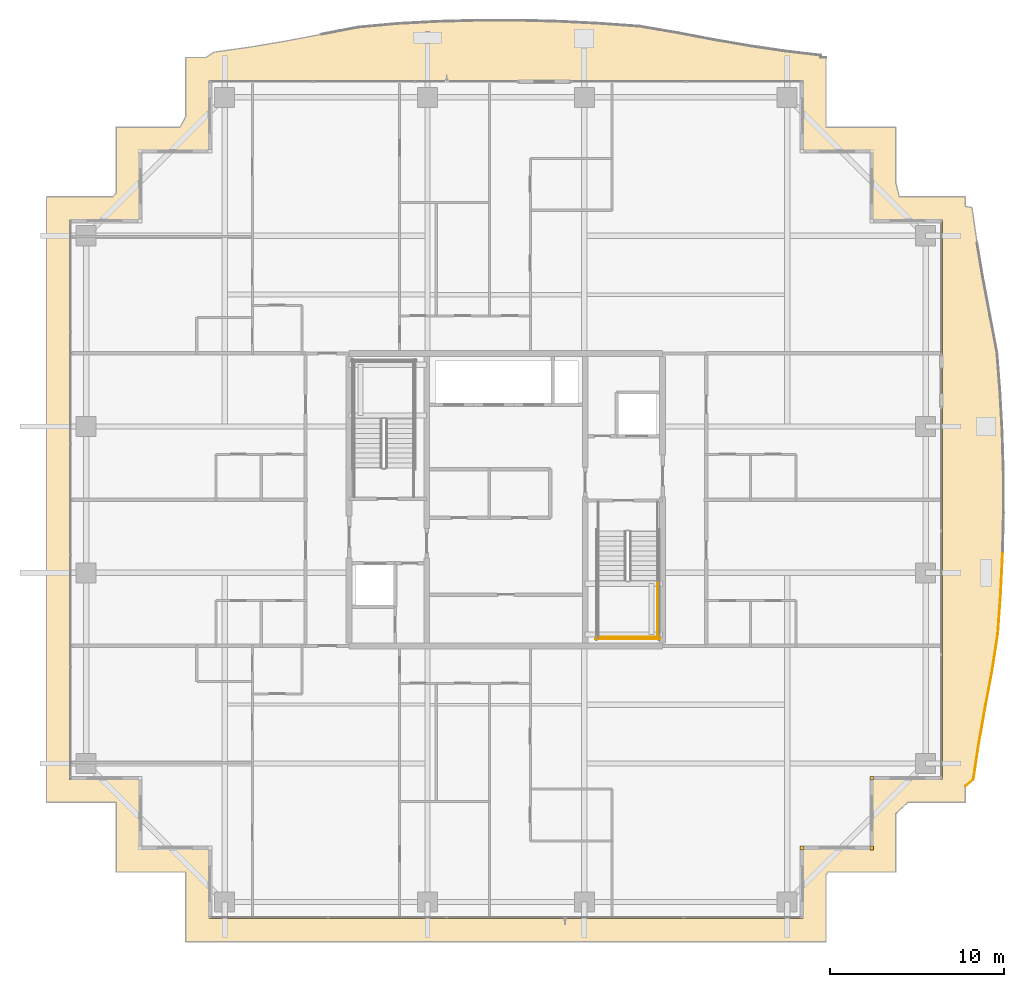
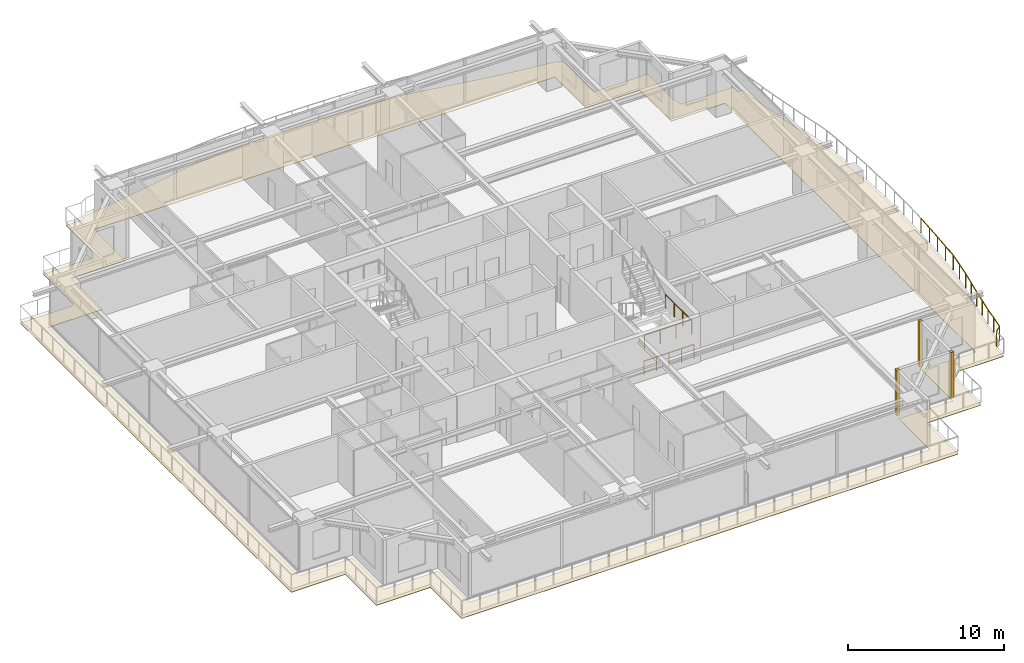
# One storey, part 36 of 38: 4 coverings, 4 railings.
"""IFC4 building model written with IfcOpenShell, lengths in metres."""

from ifc_helpers import new_model, si_unit, direction, frame, origin, origin_2d, place, context, subcontext, project, spatial, polyline, rectangle, circle, outline, extrude, source, transform, mapped, material, layer, layer_set, type_object, element, save


model = new_model("IFC4")

# Units and contexts
model_context = context("Model", 3, precision=1e-05, world=origin(), true_north=direction((0.0, 1.0)))
body_context = subcontext(model_context, "Body", "Model", "MODEL_VIEW")
ifc_project = project(units=[si_unit("LENGTHUNIT", "METRE"), si_unit("AREAUNIT", "SQUARE_METRE"), si_unit("VOLUMEUNIT", "CUBIC_METRE"), si_unit("PLANEANGLEUNIT", "RADIAN"), si_unit("MASSUNIT", "GRAM", prefix="KILO")], contexts=[model_context])

# Site, building, storey
site_placement = place(None, origin())
site = spatial("IfcSite", under=ifc_project, at=site_placement, CompositionType="ELEMENT")
building_placement = place(site_placement, origin())
building = spatial("IfcBuilding", under=site, at=building_placement, Name="Serunith Strait Residences", CompositionType="ELEMENT")
storey_placement = place(building_placement, frame((0.0, 0.0, 264.35009765625)))
storey = spatial("IfcBuildingStorey", under=building, at=storey_placement, Name="L66", CompositionType="ELEMENT", Elevation=264.35009765625)

# Covering
ifc_material_1 = material(Name="Golden Teak Exterior Timber Boarding", Category="wood")
ifc_layer_1 = layer(ifc_material_1, 0.034912109375, Name="Golden Teak Exterior Timber Boarding")
ifc_layer_set_1 = layer_set([ifc_layer_1], Name="Golden Teak Exterior Timber Boarding")
covering_type_1 = type_object("IfcCoveringType", Name="COV-TEAK-SOFFIT", PredefinedType="CEILING", material=ifc_layer_set_1)
covering_placement = place(storey_placement, frame((0.0, 0.0, -0.3251953125)))
element("IfcCovering", 1, at=covering_placement, inside=storey, type_object=covering_type_1, Name="L66 Golden-Teak Balcony Soffit Lining", PredefinedType="CEILING", context=body_context, shape_type="SweptSolid", body=[
    extrude(outline(polyline([(10.02001953125, 46.580078125), (13.67919921875, 46.580078125), (14.02001953125, 47.19873046875), (14.02001953125, 50.580078125), (15.189697265625, 50.580078125), (15.631103515625, 50.888427734375), (17.655029296875, 51.1728515625), (19.698974609375, 51.515625), (21.781982421875, 51.907470703125), (23.92431640625, 52.32177734375), (26.184814453125, 52.52734375), (28.492431640625, 52.648681640625), (30.82373046875, 52.712890625), (33.164306640625, 52.713623046875), (35.497802734375, 52.6513671875), (37.8095703125, 52.53271484375), (40.088623046875, 52.36962890625), (42.2626953125, 51.996826171875), (44.36181640625, 51.598388671875), (46.416748046875, 51.243896484375), (48.447021484375, 50.946533203125), (50.4677734375, 50.707275390625), (50.466796875, 50.580078125), (50.780029296875, 50.580078125), (50.780029296875, 46.580078125), (54.780029296875, 46.580078125), (54.780029296875, 43.41357421875), (54.985107421875, 42.580078125), (58.780029296875, 42.580078125), (58.780029296875, 42.030517578125), (59.156494140625, 41.96728515625), (59.4482421875, 39.941162109375), (59.795166015625, 37.89306640625), (60.186767578125, 35.80517578125), (60.596435546875, 33.658935546875), (60.770263671875, 31.394287109375), (60.8955078125, 29.094482421875), (60.965087890625, 26.77099609375), (60.972412109375, 24.43798828125), (60.916748046875, 22.110595703125), (60.8037109375, 19.80322265625), (60.64453125, 17.52685546875), (60.30810546875, 15.339111328125), (59.907958984375, 13.23388671875), (59.546142578125, 11.174560546875), (59.237548828125, 9.14208984375), (58.780029296875, 8.75634765625), (58.780029296875, 7.820068359375), (55.479736328125, 7.820068359375), (54.780029296875, 7.16748046875), (54.780029296875, 3.820068359375), (50.881103515625, 3.820068359375), (50.780029296875, 3.665283203125), (50.780029296875, -0.179931640625), (14.02001953125, -0.179931640625), (14.02001953125, 3.820068359375), (10.02001953125, 3.820068359375), (10.02001953125, 7.820068359375), (6.02001953125, 7.820068359375), (6.02001953125, 42.580078125), (9.824951171875, 42.580078125), (10.02001953125, 42.802001953125), (10.02001953125, 46.580078125)]), holes=[polyline([(49.455078125, 1.14501953125), (49.455078125, 5.14501953125), (53.455078125, 5.14501953125), (53.455078125, 9.14501953125), (57.455078125, 9.14501953125), (57.455078125, 41.2548828125), (53.455078125, 41.2548828125), (53.455078125, 45.2548828125), (49.455078125, 45.2548828125), (49.455078125, 49.2548828125), (15.344970703125, 49.2548828125), (15.344970703125, 45.2548828125), (11.344970703125, 45.2548828125), (11.344970703125, 41.2548828125), (7.344970703125, 41.2548828125), (7.344970703125, 9.14501953125), (11.344970703125, 9.14501953125), (11.344970703125, 5.14501953125), (15.344970703125, 5.14501953125), (15.344970703125, 1.14501953125), (49.455078125, 1.14501953125)])]), origin(), (0.0, 0.0, 1.0), 0.03515625),
])

# Railings
ifc_material_2 = material(Name="Stainless Steel & Laminated Glass Balustrade", Category="steel")
railing_type_1 = type_object("IfcRailingType", Name="RLG-BALC-1150", PredefinedType="BALUSTRADE", material=ifc_material_2)
railing_1_placement = place(storey_placement, frame((60.916748046875, 22.110595703125, -0.050048828125)))
element("IfcRailing", 2, at=railing_1_placement, inside=storey, type_object=railing_type_1, Name="L66 Swirling Balcony Perimeter Balustrade 6", PredefinedType="BALUSTRADE", context=body_context, shape_type="SweptSolid", body=[
    extrude(circle(Radius=0.02392578125, at=origin_2d()), frame((0.0, -0.001953125, 1.1259765625), z_axis=(-0.04893084374, -0.998802168866, 0.0), x_axis=(0.998802168866, -0.04893084374, 0.0)), (0.0, 0.0, 1.0), 2.30615234375),
    extrude(circle(Radius=0.02392578125, at=origin_2d()), frame((-0.11328125, -2.309326171875, 1.1259765625), z_axis=(-0.069756729847, -0.997564032351, 0.0), x_axis=(0.997564032351, -0.069756729847, 0.0)), (0.0, 0.0, 1.0), 2.27783203125),
    extrude(circle(Radius=0.02392578125, at=origin_2d()), frame((-0.2724609375, -4.585693359375, 1.1259765625), z_axis=(-0.151990877498, -0.988381896413, 0.0), x_axis=(0.988381896413, -0.151990877498, 0.0)), (0.0, 0.0, 1.0), 2.20947265625),
    extrude(circle(Radius=0.02392578125, at=origin_2d()), frame((-0.609130859375, -6.7734375, 1.1259765625), z_axis=(-0.186729919928, -0.982411287091, 0.0), x_axis=(0.982411287091, -0.186729919928, 0.0)), (0.0, 0.0, 1.0), 2.138916015625),
    extrude(circle(Radius=0.02392578125, at=origin_2d()), frame((-1.009033203125, -8.878662109375, 1.1259765625), z_axis=(-0.17304590313, -0.984913760392, 0.0), x_axis=(0.984913760392, -0.17304590313, 0.0)), (0.0, 0.0, 1.0), 2.0869140625),
    extrude(circle(Radius=0.02392578125, at=origin_2d()), frame((-1.370849609375, -10.93798828125, 1.1259765625), z_axis=(-0.150111437986, -0.988669083256, 0.0), x_axis=(0.988669083256, -0.150111437986, 0.0)), (0.0, 0.0, 1.0), 2.0517578125),
    extrude(circle(Radius=0.02392578125, at=origin_2d()), frame((-1.6806640625, -12.9697265625, 1.1259765625), z_axis=(-0.764530207025, -0.644587901334, 0.0), x_axis=(0.644587901334, -0.764530207025, 0.0)), (0.0, 0.0, 1.0), 0.594482421875),
    extrude(circle(Radius=0.02099609375, at=origin_2d()), origin(), (0.0, 0.0, 1.0), 1.099853515625),
    extrude(circle(Radius=0.02099609375, at=origin_2d()), frame((-0.056640625, -1.15380859375, 0.0)), (0.0, 0.0, 1.0), 1.099853515625),
    extrude(circle(Radius=0.02099609375, at=origin_2d()), frame((-0.113037109375, -2.307373046875, 0.0)), (0.0, 0.0, 1.0), 1.099853515625),
    extrude(circle(Radius=0.02099609375, at=origin_2d()), frame((-0.192626953125, -3.445556640625, 0.0)), (0.0, 0.0, 1.0), 1.099853515625),
    extrude(circle(Radius=0.02099609375, at=origin_2d()), frame((-0.272216796875, -4.583740234375, 0.0)), (0.0, 0.0, 1.0), 1.099853515625),
    extrude(circle(Radius=0.02099609375, at=origin_2d()), frame((-0.4404296875, -5.677734375, 0.0)), (0.0, 0.0, 1.0), 1.099853515625),
    extrude(circle(Radius=0.02099609375, at=origin_2d()), frame((-0.608642578125, -6.771484375, 0.0)), (0.0, 0.0, 1.0), 1.099853515625),
    extrude(circle(Radius=0.02099609375, at=origin_2d()), frame((-0.80859375, -7.82421875, 0.0)), (0.0, 0.0, 1.0), 1.099853515625),
    extrude(circle(Radius=0.02099609375, at=origin_2d()), frame((-1.0087890625, -8.876708984375, 0.0)), (0.0, 0.0, 1.0), 1.099853515625),
    extrude(circle(Radius=0.02099609375, at=origin_2d()), frame((-1.189697265625, -9.90625, 0.0)), (0.0, 0.0, 1.0), 1.099853515625),
    extrude(circle(Radius=0.02099609375, at=origin_2d()), frame((-1.37060546875, -10.93603515625, 0.0)), (0.0, 0.0, 1.0), 1.099853515625),
    extrude(circle(Radius=0.02099609375, at=origin_2d()), frame((-1.52490234375, -11.9521484375, 0.0)), (0.0, 0.0, 1.0), 1.099853515625),
    extrude(circle(Radius=0.02099609375, at=origin_2d()), frame((-1.67919921875, -12.968505859375, 0.0)), (0.0, 0.0, 1.0), 1.099853515625),
    extrude(circle(Radius=0.02099609375, at=origin_2d()), frame((-2.13671875, -13.354248046875, 0.0)), (0.0, 0.0, 1.0), 1.099853515625),
])
ifc_material_3 = material(Name="Brushed stainless steel 316L", Category="steel")
railing_type_2 = type_object("IfcRailingType", Name="RLG-STAIR-GUARD", PredefinedType="BALUSTRADE", material=ifc_material_3)
railing_2_placement = place(storey_placement, frame((41.10009765625, 20.570068359375, 1.9248046875)))
element("IfcRailing", 3, at=railing_2_placement, inside=storey, type_object=railing_type_2, Name="L66 ST-2 stair guard 4", PredefinedType="BALUSTRADE", context=body_context, shape_type="SweptSolid", body=[
    extrude(circle(Radius=0.02392578125, at=origin_2d()), frame((0.0, -0.001953125, 1.076171875), z_axis=(0.0, -1.0, 0.0), x_axis=(1.0, 0.0, 0.0)), (0.0, 0.0, 1.0), 3.316162109375),
    extrude(circle(Radius=0.02099609375, at=origin_2d()), origin(), (0.0, 0.0, 1.0), 1.050048828125),
    extrude(circle(Radius=0.02099609375, at=origin_2d()), frame((0.0, -1.106689453125, 0.0)), (0.0, 0.0, 1.0), 1.050048828125),
    extrude(circle(Radius=0.02099609375, at=origin_2d()), frame((0.0, -2.21337890625, 0.0)), (0.0, 0.0, 1.0), 1.050048828125),
    extrude(circle(Radius=0.02099609375, at=origin_2d()), frame((0.0, -3.320068359375, 0.0)), (0.0, 0.0, 1.0), 1.050048828125),
])
railing_3_placement = place(storey_placement, frame((37.64990234375, 17.300048828125, 1.9248046875)))
element("IfcRailing", 4, at=railing_3_placement, inside=storey, type_object=railing_type_2, Name="L66 ST-2 stair guard 5", PredefinedType="BALUSTRADE", context=body_context, shape_type="SweptSolid", body=[
    extrude(circle(Radius=0.02392578125, at=origin_2d()), frame((0.001953125, 0.0, 1.076171875), z_axis=(1.0, 0.0, 0.0), x_axis=(0.0, 1.0, 0.0)), (0.0, 0.0, 1.0), 3.49609375),
    extrude(circle(Radius=0.02099609375, at=origin_2d()), origin(), (0.0, 0.0, 1.0), 1.050048828125),
    extrude(circle(Radius=0.02099609375, at=origin_2d()), frame((1.166748046875, 0.0, 0.0)), (0.0, 0.0, 1.0), 1.050048828125),
    extrude(circle(Radius=0.02099609375, at=origin_2d()), frame((2.333251953125, 0.0, 0.0)), (0.0, 0.0, 1.0), 1.050048828125),
    extrude(circle(Radius=0.02099609375, at=origin_2d()), frame((3.5, 0.0, 0.0)), (0.0, 0.0, 1.0), 1.050048828125),
])
railing_4_placement = place(storey_placement, frame((37.550048828125, 17.199951171875, 0.0)))
element("IfcRailing", 5, at=railing_4_placement, inside=storey, type_object=railing_type_2, Name="L66 ST-2 stair guard 12", PredefinedType="BALUSTRADE", context=body_context, shape_type="SweptSolid", body=[
    extrude(circle(Radius=0.02392578125, at=origin_2d()), frame((0.001953125, 0.0, 1.076171875), z_axis=(1.0, 0.0, 0.0), x_axis=(0.0, 1.0, 0.0)), (0.0, 0.0, 1.0), 3.696044921875),
    extrude(circle(Radius=0.02099609375, at=origin_2d()), origin(), (0.0, 0.0, 1.0), 1.050048828125),
    extrude(circle(Radius=0.02099609375, at=origin_2d()), frame((0.925048828125, 0.0, 0.0)), (0.0, 0.0, 1.0), 1.050048828125),
    extrude(circle(Radius=0.02099609375, at=origin_2d()), frame((1.85009765625, 0.0, 0.0)), (0.0, 0.0, 1.0), 1.050048828125),
    extrude(circle(Radius=0.02099609375, at=origin_2d()), frame((2.77490234375, 0.0, 0.0)), (0.0, 0.0, 1.0), 1.050048828125),
    extrude(circle(Radius=0.02099609375, at=origin_2d()), frame((3.699951171875, 0.0, 0.0)), (0.0, 0.0, 1.0), 1.050048828125),
])

# Coverings
ifc_material_4 = material(Name="Pale-Champagne Anodised Aluminium", Category="aluminium")
ifc_layer_2 = layer(ifc_material_4, 0.219970703125, Name="Pale-Champagne Anodised Aluminium")
ifc_layer_set_2 = layer_set([ifc_layer_2], Name="Pale-Champagne Anodised Aluminium")
covering_type_2 = type_object("IfcCoveringType", Name="COV-CORN-TRIM", PredefinedType="CLADDING", material=ifc_layer_set_2)
shared_shape = source(origin(), body_context, "Body", "SweptSolid", [
    extrude(rectangle(XDim=0.221923828125, YDim=0.221923828125, at=origin_2d()), origin(), (0.0, 0.0, 1.0), 3.574951171875),
])
for number, where, z_axis, x_axis, name in (
    (6, (49.39990234375, 5.199951171875, 0.0), (0.0, 0.0, 1.0), (1.0, 0.0, 0.0), "L66 Girih Serrated Corner Trim Post 02"),
    (7, (53.39990234375, 5.199951171875, 0.0), (0.0, 0.0, 1.0), (1.0, 0.0, 0.0), "L66 Girih Serrated Corner Trim Post 03"),
    (8, (53.39990234375, 9.199951171875, 0.0), (0.0, 0.0, 1.0), (1.0, 0.0, 0.0), "L66 Girih Serrated Corner Trim Post 04"),
):
    element("IfcCovering", number, at=place(storey_placement, frame(where, z_axis=z_axis, x_axis=x_axis)), inside=storey, type_object=covering_type_2, Name=name, PredefinedType="CLADDING", context=body_context, shape_type="MappedRepresentation", body=[
        mapped(shared_shape, transform((0.0, 0.0, 0.0), scale=1.0)),
    ])

save(model, "model.ifc")
